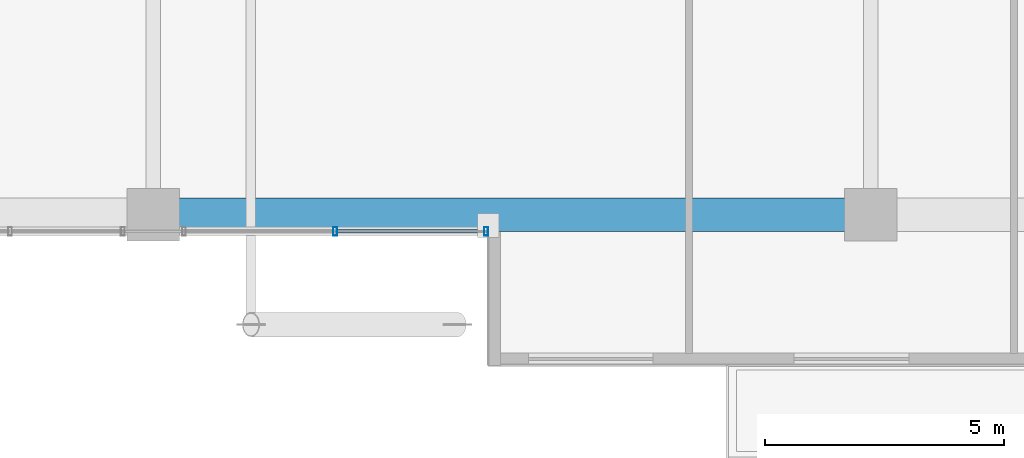
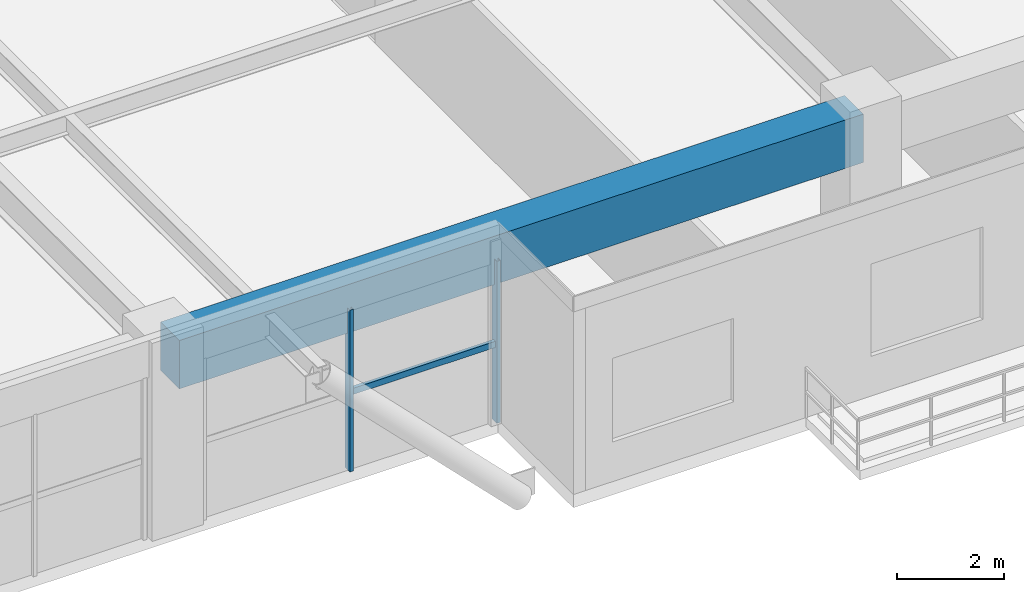
# One storey, part 6 of 24: 3 members, 1 beam, 1 element without a shape of its own.
"""IFC4 building model written with IfcOpenShell, lengths in metres."""

from ifc_helpers import new_model, si_unit, direction, frame, origin, origin_2d, place, context, subcontext, project, spatial, rectangle, hollow_rectangle, extrude, source, transform, mapped, material, material_profile, profile_set, type_object, element, aggregate, save


model = new_model("IFC4")

# Units and contexts
model_context = context("Model", 3, precision=1e-05, world=origin(), true_north=direction((0.0, 1.0)))
body_context = subcontext(model_context, "Body", "Model", "MODEL_VIEW")
ifc_project = project(units=[si_unit("LENGTHUNIT", "METRE"), si_unit("AREAUNIT", "SQUARE_METRE"), si_unit("VOLUMEUNIT", "CUBIC_METRE"), si_unit("PLANEANGLEUNIT", "RADIAN"), si_unit("MASSUNIT", "GRAM", prefix="KILO")], contexts=[model_context])

# Site, building, storey
site_placement = place(None, origin())
site = spatial("IfcSite", under=ifc_project, at=site_placement, CompositionType="ELEMENT")
building_placement = place(site_placement, origin())
building = spatial("IfcBuilding", under=site, at=building_placement, Name="Trelvane Seafront Commons", CompositionType="ELEMENT")
storey_placement = place(building_placement, frame((0.0, 0.0, 9.699951171875)))
storey = spatial("IfcBuildingStorey", under=building, at=storey_placement, Name="L02", CompositionType="ELEMENT", Elevation=9.699951171875)

# Beam
ifc_material_1 = material(Name="Concrete C50/60", Category="concrete")
ifc_material_profile_1 = material_profile(ifc_material_1, rectangle(XDim=0.699951171875, YDim=1.10009765625, at=origin_2d()), Name="RC-700x1100")
ifc_profile_set_1 = profile_set([ifc_material_profile_1], Name="Concrete C50/60")
beam_type = type_object("IfcBeamType", Name="STR-TBM-RC700x1100", PredefinedType="T_BEAM", material=ifc_profile_set_1)
shared_shape_1 = source(origin(), body_context, "Body", "SweptSolid", [
    extrude(rectangle(XDim=0.699951171875, YDim=1.10009765625, at=origin_2d()), origin(), (0.0, 0.0, 1.0), 14.699951171875),
])
beam_placement = place(storey_placement, frame((43.949951171875, 3.949951171875, 3.650146484375), z_axis=(1.0, 0.0, 0.0), x_axis=(0.0, 1.0, 0.0)))
element("IfcBeam", 1, at=beam_placement, inside=storey, type_object=beam_type, Name="L02 Primary Girder G-05", PredefinedType="T_BEAM", context=body_context, shape_type="MappedRepresentation", body=[
    mapped(shared_shape_1, transform((0.0, 0.0, 0.0), x_axis=(1.0, 0.0, 0.0), y_axis=(0.0, 1.0, 0.0), z_axis=(0.0, 0.0, 1.0), scale=1.0)),
])

# Curtain wall, members
ifc_material_2 = material(Name="Anodised pale-silver aluminium", Category="aluminium")
curtain_wall_type = type_object("IfcCurtainWallType", Name="ARCH-CW1-PODIUM", PredefinedType="NOTDEFINED", material=ifc_material_2)
curtain_wall_placement = place(storey_placement, origin())
curtain_wall = element("IfcCurtainWall", 2, at=curtain_wall_placement, inside=storey, type_object=curtain_wall_type, Name="CW-L02-VP-0016", PredefinedType="NOTDEFINED")
ifc_material_profile_2 = material_profile(ifc_material_2, hollow_rectangle(XDim=0.080078125, YDim=0.179931640625, WallThickness=0.00439453125, at=origin_2d()), Name="MULL-80x180x4.5")
ifc_profile_set_2 = profile_set([ifc_material_profile_2], Name="Anodised pale-silver aluminium")
member_type_1 = type_object("IfcMemberType", Name="ARCH-CW-MULL-180", PredefinedType="MULLION", material=ifc_profile_set_2)
shared_shape_2 = source(origin(), body_context, "Body", "SweptSolid", [
    extrude(hollow_rectangle(XDim=0.080078125, YDim=0.179931640625, WallThickness=0.00439453125, at=origin_2d()), origin(), (0.0, 0.0, 1.0), 3.679931640625),
])
member_1_placement = place(storey_placement, frame((50.760009765625, 3.60009765625, 0.0), z_axis=(0.0, 0.0, 1.0), x_axis=(1.0, 0.0, 0.0)))
member_1 = element("IfcMember", 3, at=member_1_placement, type_object=member_type_1, Name="CW-L02-VP-0016-M00", PredefinedType="MULLION", context=body_context, shape_type="MappedRepresentation", body=[
    mapped(shared_shape_2, transform((0.0, 0.0, 0.0), x_axis=(1.0, 0.0, 0.0), y_axis=(0.0, 1.0, 0.0), z_axis=(0.0, 0.0, 1.0), scale=1.0)),
])
member_2_placement = place(storey_placement, frame((47.60009765625, 3.60009765625, 0.0), z_axis=(0.0, 0.0, 1.0), x_axis=(1.0, 0.0, 0.0)))
member_2 = element("IfcMember", 4, at=member_2_placement, type_object=member_type_1, Name="CW-L02-VP-0016-M01", PredefinedType="MULLION", context=body_context, shape_type="MappedRepresentation", body=[
    mapped(shared_shape_2, transform((0.0, 0.0, 0.0), x_axis=(1.0, 0.0, 0.0), y_axis=(0.0, 1.0, 0.0), z_axis=(0.0, 0.0, 1.0), scale=1.0)),
])
ifc_material_profile_3 = material_profile(ifc_material_2, hollow_rectangle(XDim=0.074951171875, YDim=0.139892578125, WallThickness=0.00390625, at=origin_2d()), Name="TRAN-75x140x4")
ifc_profile_set_3 = profile_set([ifc_material_profile_3], Name="Anodised pale-silver aluminium")
member_type_2 = type_object("IfcMemberType", Name="ARCH-CW-TRAN-140", PredefinedType="USERDEFINED", material=ifc_profile_set_3)
shared_shape_3 = source(origin(), body_context, "Body", "SweptSolid", [
    extrude(hollow_rectangle(XDim=0.074951171875, YDim=0.139892578125, WallThickness=0.00390625, at=origin_2d()), origin(), (0.0, 0.0, 1.0), 3.176025390625),
])
member_3_placement = place(storey_placement, frame((50.7880859375, 3.60009765625, 1.76611328125), z_axis=(-1.0, 0.0, 0.0), x_axis=(0.0, -1.0, 0.0)))
member_3 = element("IfcMember", 5, at=member_3_placement, type_object=member_type_2, Name="CW-L02-VP-0016-T00", ObjectType="TRANSOM", PredefinedType="USERDEFINED", context=body_context, shape_type="MappedRepresentation", body=[
    mapped(shared_shape_3, transform((0.0, 0.0, 0.0), x_axis=(1.0, 0.0, 0.0), y_axis=(0.0, 1.0, 0.0), z_axis=(0.0, 0.0, 1.0), scale=1.0)),
])
aggregate(curtain_wall, [member_1, member_2, member_3])

save(model, "model.ifc")
